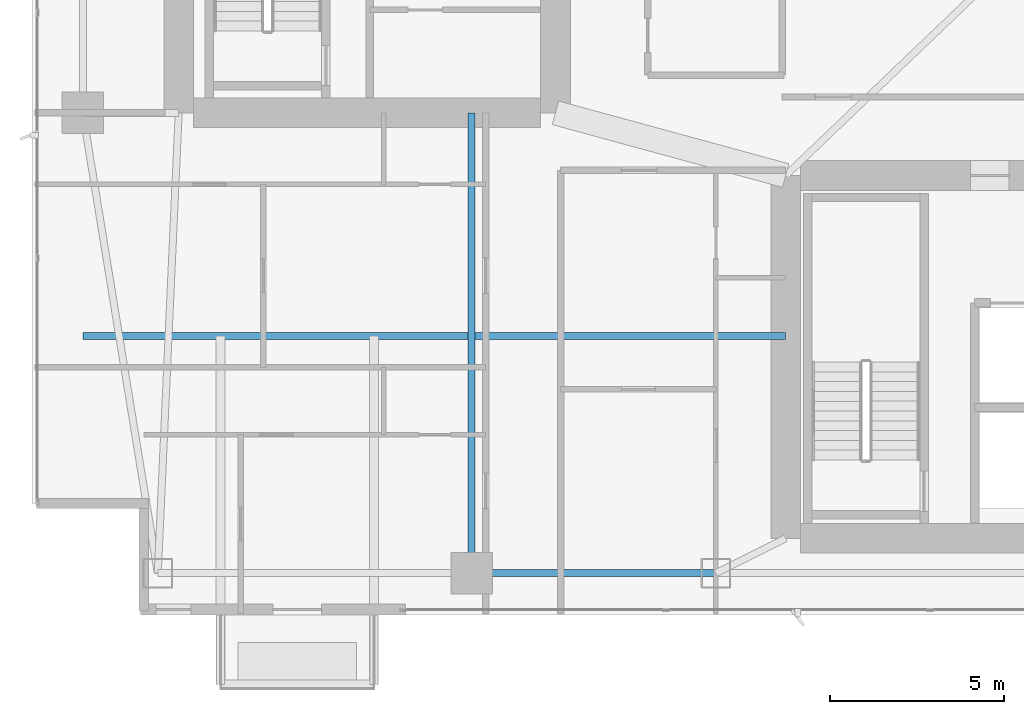
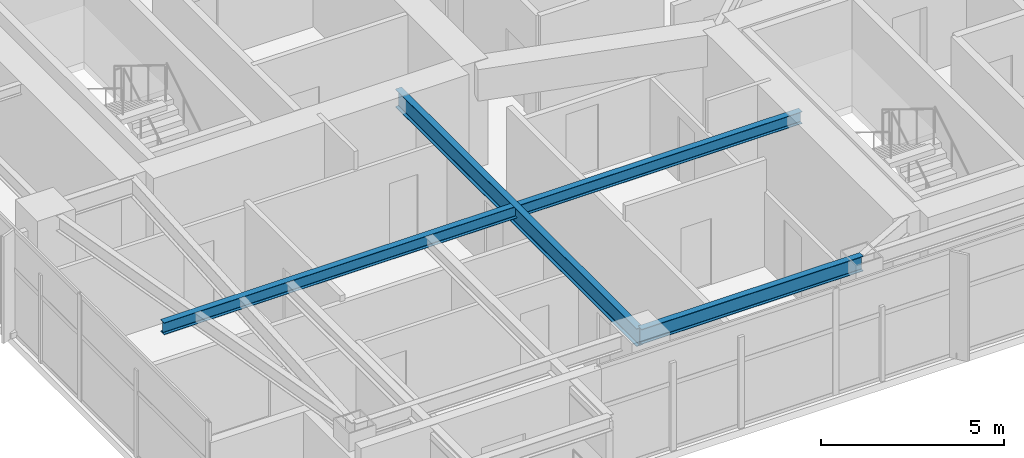
# One storey, part 5 of 29: 3 beams.
"""IFC4 building model written with IfcOpenShell, lengths in metres."""

from ifc_helpers import new_model, si_unit, direction, frame, origin, origin_2d, place, context, subcontext, project, spatial, i_section, extrude, material, material_profile, profile_set, type_object, element, save


model = new_model("IFC4")

# Units and contexts
model_context = context("Model", 3, precision=1e-05, world=origin(), true_north=direction((0.0, 1.0)))
body_context = subcontext(model_context, "Body", "Model", "MODEL_VIEW")
ifc_project = project(units=[si_unit("LENGTHUNIT", "METRE"), si_unit("AREAUNIT", "SQUARE_METRE"), si_unit("VOLUMEUNIT", "CUBIC_METRE"), si_unit("PLANEANGLEUNIT", "RADIAN"), si_unit("MASSUNIT", "GRAM", prefix="KILO")], contexts=[model_context])

# Site, building, storey
site_placement = place(None, origin())
site = spatial("IfcSite", under=ifc_project, at=site_placement, CompositionType="ELEMENT")
building_placement = place(site_placement, origin())
building = spatial("IfcBuilding", under=site, at=building_placement, Name="Calvorn Quay Hotel", CompositionType="ELEMENT")
storey_placement = place(building_placement, frame((0.0, 0.0, 163.699951171875)))
storey = spatial("IfcBuildingStorey", under=building, at=storey_placement, Name="L40", CompositionType="ELEMENT", Elevation=163.699951171875)

# Beams
ifc_material_1 = material(Name="Steel Q355B", Category="steel")
ifc_material_profile_1 = material_profile(ifc_material_1, i_section(OverallWidth=0.199951171875, OverallDepth=0.60009765625, WebThickness=0.010986328125, FlangeThickness=0.01708984375, FilletRadius=0.01806640625, at=origin_2d()), Name="HN600x200x11x17")
ifc_profile_set_1 = profile_set([ifc_material_profile_1], Name="Steel Q355B")
beam_type_1 = type_object("IfcBeamType", Name="BM-GIRD-TYP", PredefinedType="BEAM", material=ifc_profile_set_1)
beam_1_placement = place(storey_placement, frame((12.60009765625, 3.60009765625, 3.239990234375), z_axis=(0.0, 1.0, 0.0), x_axis=(-1.0, 0.0, 0.0)))
element("IfcBeam", 1, at=beam_1_placement, inside=storey, type_object=beam_type_1, Name="Beam BG-L40-S1", PredefinedType="BEAM", context=body_context, shape_type="SweptSolid", body=[
    extrude(i_section(OverallWidth=0.199951171875, OverallDepth=0.60009765625, WebThickness=0.010986328125, FlangeThickness=0.01708984375, FilletRadius=0.01806640625, at=origin_2d()), origin(), (0.0, 0.0, 1.0), 13.199951171875),
])
ifc_material_2 = material(Name="Steel Q355B", Category="steel")
ifc_material_profile_2 = material_profile(ifc_material_2, i_section(OverallWidth=0.199951171875, OverallDepth=0.39990234375, WebThickness=0.008056640625, FlangeThickness=0.012939453125, FilletRadius=0.01611328125, at=origin_2d()), Name="HN400x200x8x13")
ifc_profile_set_2 = profile_set([ifc_material_profile_2], Name="Steel Q355B")
beam_type_2 = type_object("IfcBeamType", Name="BM-JOIST-TYP", PredefinedType="JOIST", material=ifc_profile_set_2)
beam_2_placement = place(storey_placement, frame((1.449951171875, 10.39990234375, 3.340087890625), z_axis=(1.0, 0.0, 0.0), x_axis=(0.0, 1.0, 0.0)))
element("IfcBeam", 2, at=beam_2_placement, inside=storey, type_object=beam_type_2, Name="Beam BJ-L40-W1", PredefinedType="JOIST", context=body_context, shape_type="SweptSolid", body=[
    extrude(i_section(OverallWidth=0.199951171875, OverallDepth=0.39990234375, WebThickness=0.008056640625, FlangeThickness=0.012939453125, FilletRadius=0.01611328125, at=origin_2d()), origin(), (0.0, 0.0, 1.0), 20.150146484375),
])
ifc_material_3 = material(Name="Steel Q355B", Category="steel")
ifc_material_profile_3 = material_profile(ifc_material_3, i_section(OverallWidth=0.199951171875, OverallDepth=0.5, WebThickness=0.010009765625, FlangeThickness=0.01611328125, FilletRadius=0.01611328125, at=origin_2d()), Name="HN500x200x10x16")
ifc_profile_set_3 = profile_set([ifc_material_profile_3], Name="Steel Q355B")
beam_type_3 = type_object("IfcBeamType", Name="BM-SPANDREL-Z1", PredefinedType="SPANDREL", material=ifc_profile_set_3)
beam_3_placement = place(storey_placement, frame((12.60009765625, 3.60009765625, 3.2900390625), z_axis=(1.0, 0.0, 0.0), x_axis=(0.0, 1.0, 0.0)))
element("IfcBeam", 3, at=beam_3_placement, inside=storey, type_object=beam_type_3, Name="Beam BSP-L40-S2", PredefinedType="SPANDREL", context=body_context, shape_type="SweptSolid", body=[
    extrude(i_section(OverallWidth=0.199951171875, OverallDepth=0.5, WebThickness=0.010009765625, FlangeThickness=0.01611328125, FilletRadius=0.01611328125, at=origin_2d()), origin(), (0.0, 0.0, 1.0), 7.0),
])

save(model, "model.ifc")
